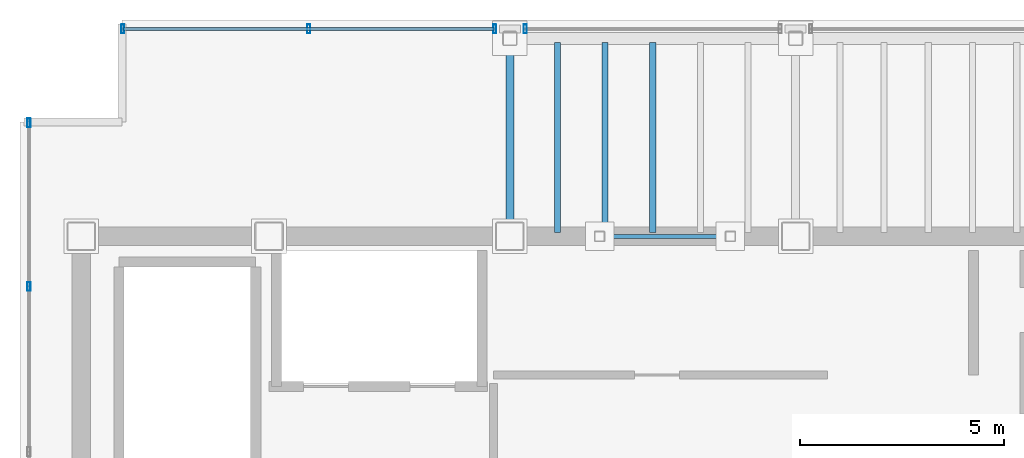
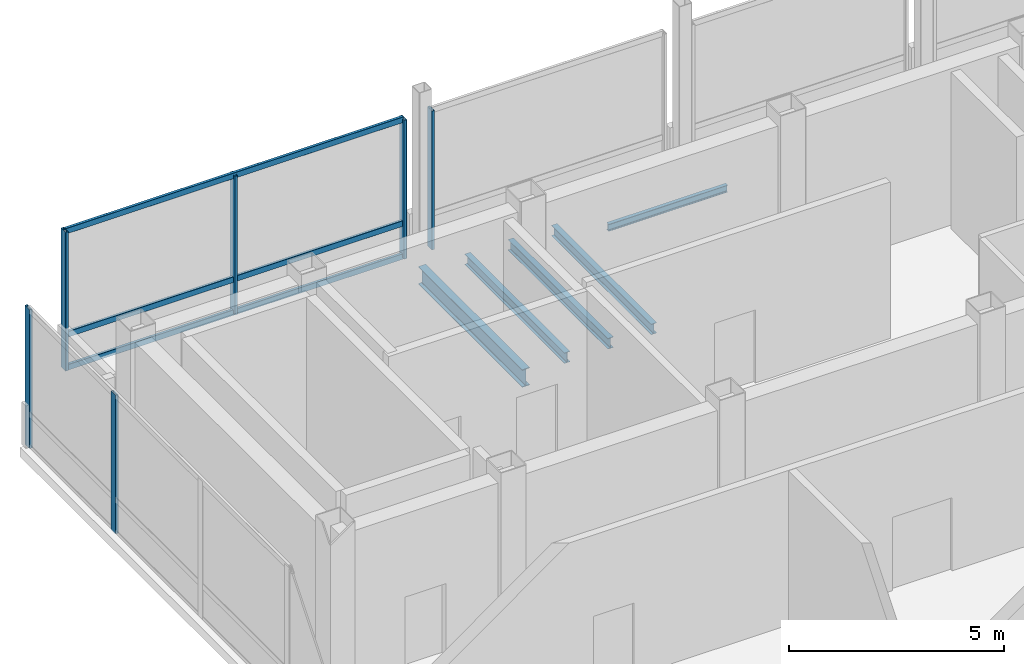
# One storey, part 12 of 20: 9 members, 5 beams, 3 elements without a shape of their own.
"""IFC4 building model written with IfcOpenShell, lengths in metres."""

from ifc_helpers import new_model, si_unit, direction, frame, origin, origin_2d, place, context, subcontext, project, spatial, hollow_rectangle, i_section, extrude, material, material_profile, profile_set, type_object, element, aggregate, save


model = new_model("IFC4")

# Units and contexts
model_context = context("Model", 3, precision=1e-05, world=origin(), true_north=direction((0.0, 1.0)))
body_context = subcontext(model_context, "Body", "Model", "MODEL_VIEW")
ifc_project = project(units=[si_unit("LENGTHUNIT", "METRE"), si_unit("AREAUNIT", "SQUARE_METRE"), si_unit("VOLUMEUNIT", "CUBIC_METRE"), si_unit("PLANEANGLEUNIT", "RADIAN"), si_unit("MASSUNIT", "GRAM", prefix="KILO")], contexts=[model_context])

# Site, building, storey
site_placement = place(None, origin())
site = spatial("IfcSite", under=ifc_project, at=site_placement, CompositionType="ELEMENT")
building_placement = place(site_placement, origin())
building = spatial("IfcBuilding", under=site, at=building_placement, Name="Noeulbin Bourse Tower", CompositionType="ELEMENT")
storey_placement = place(building_placement, frame((0.0, 0.0, 312.60009765625)))
storey = spatial("IfcBuildingStorey", under=building, at=storey_placement, Name="L77", CompositionType="ELEMENT", Elevation=312.60009765625)

# Beams
ifc_material_1 = material(Name="Steel S355", Category="steel")
ifc_material_profile_1 = material_profile(ifc_material_1, i_section(OverallWidth=0.199951171875, OverallDepth=0.5, WebThickness=0.010009765625, FlangeThickness=0.01611328125, FilletRadius=0.02001953125, at=origin_2d()), Name="H-500x200x10x16", Category="LoadBearing")
ifc_profile_set_1 = profile_set([ifc_material_profile_1], Name="Steel S355")
beam_type_1 = type_object("IfcBeamType", Name="BM-GRD-500", PredefinedType="USERDEFINED", material=ifc_profile_set_1)
beam_1_placement = place(storey_placement, frame((24.0, 38.300048828125, -0.510009765625), z_axis=(0.0, 1.0, 0.0), x_axis=(-1.0, 0.0, 0.0)))
element("IfcBeam", 1, at=beam_1_placement, inside=storey, type_object=beam_type_1, Name="Tower Primary Girder NS L77-2.3", ObjectType="GIRDER", PredefinedType="USERDEFINED", context=body_context, shape_type="SweptSolid", body=[
    extrude(i_section(OverallWidth=0.199951171875, OverallDepth=0.5, WebThickness=0.010009765625, FlangeThickness=0.01611328125, FilletRadius=0.02001953125, at=origin_2d()), origin(), (0.0, 0.0, 1.0), 4.849853515625),
])
ifc_material_profile_2 = material_profile(ifc_material_1, i_section(OverallWidth=0.14990234375, OverallDepth=0.300048828125, WebThickness=0.006591796875, FlangeThickness=0.009033203125, FilletRadius=0.012939453125, at=origin_2d()), Name="H-300x150x6.5x9", Category="LoadBearing")
ifc_profile_set_2 = profile_set([ifc_material_profile_2], Name="Steel S355")
beam_type_2 = type_object("IfcBeamType", Name="BM-JST-300", PredefinedType="JOIST", material=ifc_profile_set_2)
for number, where, z_axis, x_axis, name in (
    (2, (25.166748046875, 38.39990234375, -0.41015625), (0.0, 1.0, 0.0), (-1.0, 0.0, 0.0), "Tower Composite Joist L77-02"),
    (3, (26.333251953125, 38.39990234375, -0.41015625), (0.0, 1.0, 0.0), (-1.0, 0.0, 0.0), "Tower Composite Joist L77-04"),
    (4, (27.5, 38.39990234375, -0.41015625), (0.0, 1.0, 0.0), (-1.0, 0.0, 0.0), "Tower Composite Joist L77-06"),
):
    element("IfcBeam", number, at=place(storey_placement, frame(where, z_axis=z_axis, x_axis=x_axis)), inside=storey, type_object=beam_type_2, Name=name, PredefinedType="JOIST", context=body_context, shape_type="SweptSolid", body=[
        extrude(i_section(OverallWidth=0.14990234375, OverallDepth=0.300048828125, WebThickness=0.006591796875, FlangeThickness=0.009033203125, FilletRadius=0.012939453125, at=origin_2d()), origin(), (0.0, 0.0, 1.0), 4.650146484375),
    ])
ifc_material_profile_3 = material_profile(ifc_material_1, i_section(OverallWidth=0.10009765625, OverallDepth=0.199951171875, WebThickness=0.005615234375, FlangeThickness=0.008056640625, FilletRadius=0.010986328125, at=origin_2d()), Name="H-200x100x5.5x8", Category="LoadBearing")
ifc_profile_set_3 = profile_set([ifc_material_profile_3], Name="Steel S355")
beam_type_3 = type_object("IfcBeamType", Name="BM-MNT-200", PredefinedType="BEAM", material=ifc_profile_set_3)
beam_2_placement = place(storey_placement, frame((26.199951171875, 38.300048828125, 3.0), z_axis=(1.0, 0.0, 0.0), x_axis=(0.0, 1.0, 0.0)))
element("IfcBeam", 5, at=beam_2_placement, inside=storey, type_object=beam_type_3, Name="Crown Maintenance Monorail Beam DM-1", PredefinedType="BEAM", context=body_context, shape_type="SweptSolid", body=[
    extrude(i_section(OverallWidth=0.10009765625, OverallDepth=0.199951171875, WebThickness=0.005615234375, FlangeThickness=0.008056640625, FilletRadius=0.010986328125, at=origin_2d()), origin(), (0.0, 0.0, 1.0), 3.199951171875),
])

# Curtain wall, members
ifc_material_2 = material(Name="High-Selectivity Low-Iron Glazing", Category="glass")
curtain_wall_type = type_object("IfcCurtainWallType", Name="CW-SYS-4", PredefinedType="NOTDEFINED", material=ifc_material_2)
curtain_wall_1_placement = place(storey_placement, origin())
curtain_wall_1 = element("IfcCurtainWall", 6, at=curtain_wall_1_placement, inside=storey, type_object=curtain_wall_type, Name="Unitised Curtain Wall CW-L77-N-S1", PredefinedType="NOTDEFINED")
ifc_material_3 = material(Name="Anodised Aluminium 6063-T6", Category="aluminium")
ifc_material_profile_4 = material_profile(ifc_material_3, hollow_rectangle(XDim=0.074951171875, YDim=0.219970703125, WallThickness=0.0048828125, InnerFilletRadius=0.00244140625, OuterFilletRadius=0.0048828125, at=origin_2d()), Name="ALU-MULL-75x220x5", Category="LoadBearing")
ifc_profile_set_4 = profile_set([ifc_material_profile_4], Name="Anodised Aluminium 6063-T6")
member_type_1 = type_object("IfcMemberType", Name="CW-SYS-4-MUL", PredefinedType="MULLION", material=ifc_profile_set_4)
member_1_placement = place(storey_placement, frame((14.52001953125, 43.3798828125, -0.02001953125), z_axis=(0.0, 0.0, 1.0), x_axis=(1.0, 0.0, 0.0)))
member_1 = element("IfcMember", 7, at=member_1_placement, type_object=member_type_1, Name="Curtain Wall Mullion CW-L77-N-S1-M00", PredefinedType="MULLION", context=body_context, shape_type="SweptSolid", body=[
    extrude(hollow_rectangle(XDim=0.074951171875, YDim=0.219970703125, WallThickness=0.0048828125, InnerFilletRadius=0.00244140625, OuterFilletRadius=0.0048828125, at=origin_2d()), origin(), (0.0, 0.0, 1.0), 3.949951171875),
])
member_2_placement = place(storey_placement, frame((19.072509765625, 43.3798828125, -0.02001953125), z_axis=(0.0, 0.0, 1.0), x_axis=(1.0, 0.0, 0.0)))
member_2 = element("IfcMember", 8, at=member_2_placement, type_object=member_type_1, Name="Curtain Wall Mullion CW-L77-N-S1-M01", PredefinedType="MULLION", context=body_context, shape_type="SweptSolid", body=[
    extrude(hollow_rectangle(XDim=0.074951171875, YDim=0.219970703125, WallThickness=0.0048828125, InnerFilletRadius=0.00244140625, OuterFilletRadius=0.0048828125, at=origin_2d()), origin(), (0.0, 0.0, 1.0), 3.949951171875),
])
member_3_placement = place(storey_placement, frame((23.625, 43.3798828125, -0.02001953125), z_axis=(0.0, 0.0, 1.0), x_axis=(1.0, 0.0, 0.0)))
member_3 = element("IfcMember", 9, at=member_3_placement, type_object=member_type_1, Name="Curtain Wall Mullion CW-L77-N-S1-M02", PredefinedType="MULLION", context=body_context, shape_type="SweptSolid", body=[
    extrude(hollow_rectangle(XDim=0.074951171875, YDim=0.219970703125, WallThickness=0.0048828125, InnerFilletRadius=0.00244140625, OuterFilletRadius=0.0048828125, at=origin_2d()), origin(), (0.0, 0.0, 1.0), 3.949951171875),
])

# Curtain wall, member
curtain_wall_2_placement = place(storey_placement, origin())
curtain_wall_2 = element("IfcCurtainWall", 10, at=curtain_wall_2_placement, inside=storey, type_object=curtain_wall_type, Name="Unitised Curtain Wall CW-L77-N-S2", PredefinedType="NOTDEFINED")
member_4_placement = place(storey_placement, frame((24.375, 43.3798828125, -0.02001953125), z_axis=(0.0, 0.0, 1.0), x_axis=(1.0, 0.0, 0.0)))
member_4 = element("IfcMember", 11, at=member_4_placement, type_object=member_type_1, Name="Curtain Wall Mullion CW-L77-N-S2-M00", PredefinedType="MULLION", context=body_context, shape_type="SweptSolid", body=[
    extrude(hollow_rectangle(XDim=0.074951171875, YDim=0.219970703125, WallThickness=0.0048828125, InnerFilletRadius=0.00244140625, OuterFilletRadius=0.0048828125, at=origin_2d()), origin(), (0.0, 0.0, 1.0), 3.949951171875),
])
aggregate(curtain_wall_2, [member_4])

# Curtain wall, members
curtain_wall_3_placement = place(storey_placement, origin())
curtain_wall_3 = element("IfcCurtainWall", 12, at=curtain_wall_3_placement, inside=storey, type_object=curtain_wall_type, Name="Unitised Curtain Wall CW-L77-W", PredefinedType="NOTDEFINED")
member_5_placement = place(storey_placement, frame((12.219970703125, 37.072021484375, -0.02001953125), z_axis=(0.0, 0.0, 1.0), x_axis=(1.0, 0.0, 0.0)))
member_5 = element("IfcMember", 13, at=member_5_placement, type_object=member_type_1, Name="Curtain Wall Mullion CW-L77-W-M04", PredefinedType="MULLION", context=body_context, shape_type="SweptSolid", body=[
    extrude(hollow_rectangle(XDim=0.074951171875, YDim=0.219970703125, WallThickness=0.0048828125, InnerFilletRadius=0.00244140625, OuterFilletRadius=0.0048828125, at=origin_2d()), origin(), (0.0, 0.0, 1.0), 3.949951171875),
])
member_6_placement = place(storey_placement, frame((12.219970703125, 41.080078125, -0.02001953125), z_axis=(0.0, 0.0, 1.0), x_axis=(1.0, 0.0, 0.0)))
member_6 = element("IfcMember", 14, at=member_6_placement, type_object=member_type_1, Name="Curtain Wall Mullion CW-L77-W-M05", PredefinedType="MULLION", context=body_context, shape_type="SweptSolid", body=[
    extrude(hollow_rectangle(XDim=0.074951171875, YDim=0.219970703125, WallThickness=0.0048828125, InnerFilletRadius=0.00244140625, OuterFilletRadius=0.0048828125, at=origin_2d()), origin(), (0.0, 0.0, 1.0), 3.949951171875),
])
aggregate(curtain_wall_3, [member_5, member_6])

# Member
ifc_material_profile_5 = material_profile(ifc_material_3, hollow_rectangle(XDim=0.074951171875, YDim=0.159912109375, WallThickness=0.0048828125, InnerFilletRadius=0.00244140625, OuterFilletRadius=0.0048828125, at=origin_2d()), Name="ALU-TRAN-75x160x5", Category="LoadBearing")
ifc_profile_set_5 = profile_set([ifc_material_profile_5], Name="Anodised Aluminium 6063-T6")
member_type_2 = type_object("IfcMemberType", Name="CW-SYS-4-TRN", PredefinedType="USERDEFINED", material=ifc_profile_set_5)
member_7_placement = place(storey_placement, frame((14.530029296875, 43.3798828125, 0.010009765625), z_axis=(1.0, 0.0, 0.0), x_axis=(0.0, 1.0, 0.0)))
member_7 = element("IfcMember", 15, at=member_7_placement, type_object=member_type_2, Name="Curtain Wall Transom CW-L77-N-S1-T00", ObjectType="TRANSOM", PredefinedType="USERDEFINED", context=body_context, shape_type="SweptSolid", body=[
    extrude(hollow_rectangle(XDim=0.074951171875, YDim=0.159912109375, WallThickness=0.0048828125, InnerFilletRadius=0.00244140625, OuterFilletRadius=0.0048828125, at=origin_2d()), origin(), (0.0, 0.0, 1.0), 9.0849609375),
])

member_8_placement = place(storey_placement, frame((14.530029296875, 43.3798828125, 0.949951171875), z_axis=(1.0, 0.0, 0.0), x_axis=(0.0, 1.0, 0.0)))
member_8 = element("IfcMember", 16, at=member_8_placement, type_object=member_type_2, Name="Curtain Wall Transom CW-L77-N-S1-T01", ObjectType="TRANSOM", PredefinedType="USERDEFINED", context=body_context, shape_type="SweptSolid", body=[
    extrude(hollow_rectangle(XDim=0.074951171875, YDim=0.159912109375, WallThickness=0.0048828125, InnerFilletRadius=0.00244140625, OuterFilletRadius=0.0048828125, at=origin_2d()), origin(), (0.0, 0.0, 1.0), 9.0849609375),
])

member_9_placement = place(storey_placement, frame((14.530029296875, 43.3798828125, 3.89990234375), z_axis=(1.0, 0.0, 0.0), x_axis=(0.0, 1.0, 0.0)))
member_9 = element("IfcMember", 17, at=member_9_placement, type_object=member_type_2, Name="Curtain Wall Transom CW-L77-N-S1-T02", ObjectType="TRANSOM", PredefinedType="USERDEFINED", context=body_context, shape_type="SweptSolid", body=[
    extrude(hollow_rectangle(XDim=0.074951171875, YDim=0.159912109375, WallThickness=0.0048828125, InnerFilletRadius=0.00244140625, OuterFilletRadius=0.0048828125, at=origin_2d()), origin(), (0.0, 0.0, 1.0), 9.0849609375),
])

aggregate(curtain_wall_1, [member_1, member_2, member_3, member_7, member_8, member_9])

save(model, "model.ifc")
